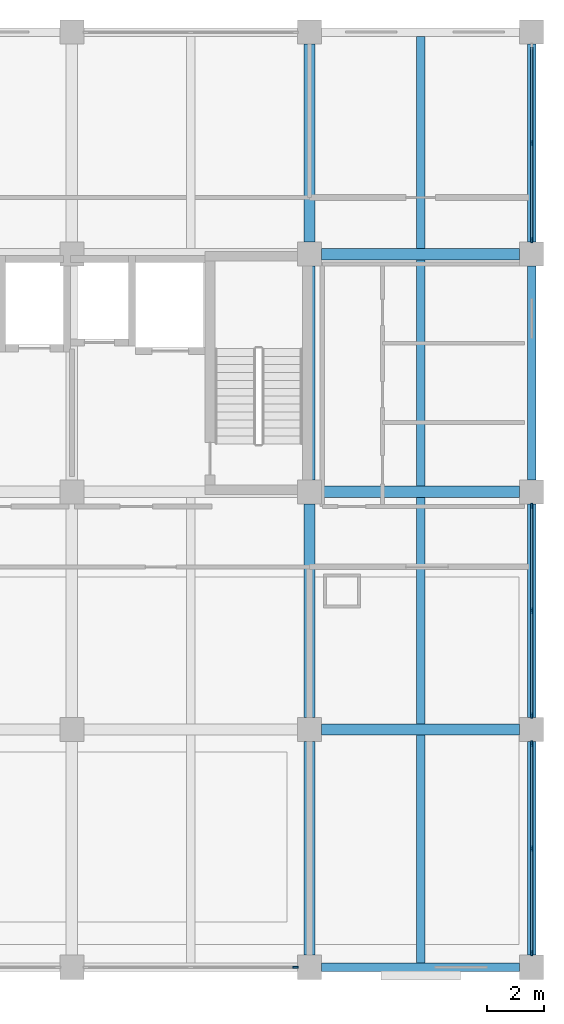
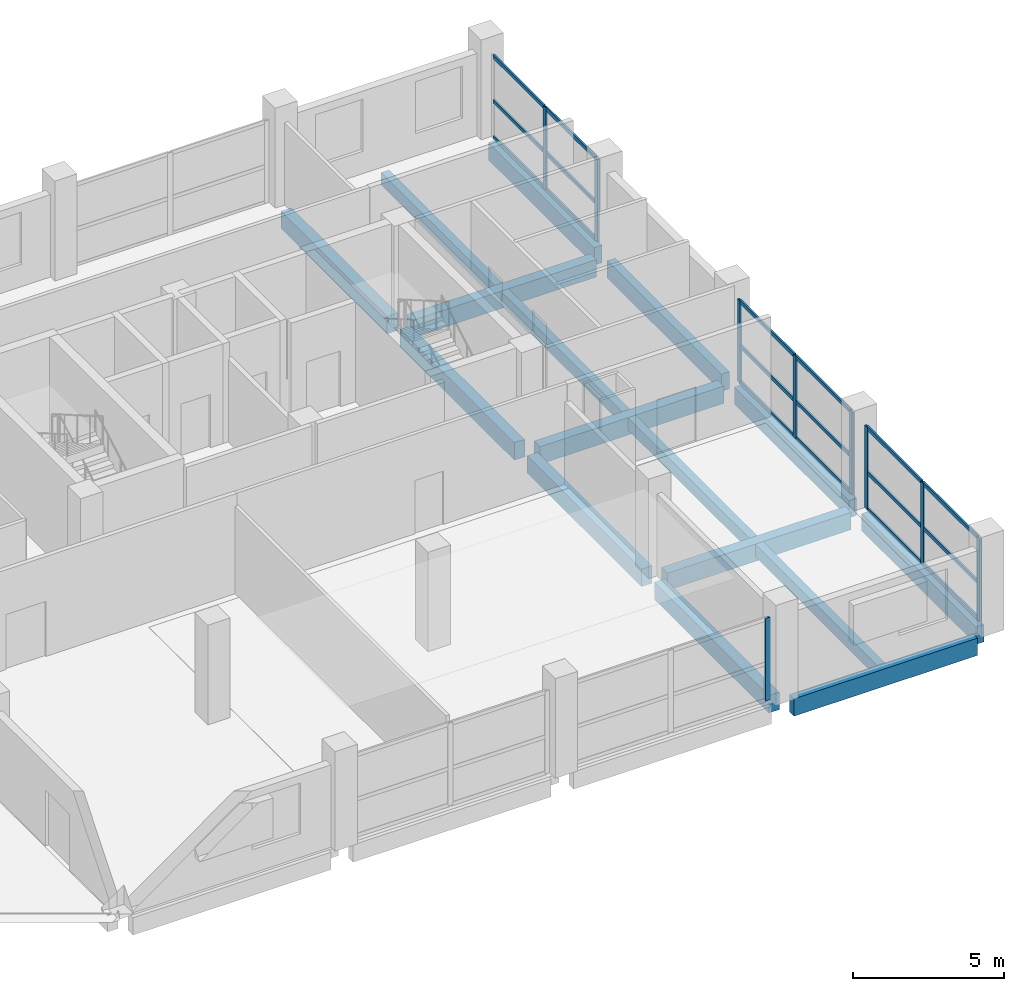
# One storey, part 4 of 10: 27 members, 16 beams, 4 elements without a shape of their own.
"""IFC4 building model written with IfcOpenShell, lengths in metres."""

from ifc_helpers import new_model, si_unit, direction, frame, origin, origin_2d, place, context, subcontext, project, spatial, rectangle, extrude, material, material_profile, profile_set, type_object, element, aggregate, save


model = new_model("IFC4")

# Units and contexts
model_context = context("Model", 3, precision=1e-05, world=origin(), true_north=direction((0.0, 1.0)))
body_context = subcontext(model_context, "Body", "Model", "MODEL_VIEW")
ifc_project = project(units=[si_unit("LENGTHUNIT", "METRE"), si_unit("AREAUNIT", "SQUARE_METRE"), si_unit("VOLUMEUNIT", "CUBIC_METRE"), si_unit("PLANEANGLEUNIT", "RADIAN"), si_unit("MASSUNIT", "GRAM", prefix="KILO")], contexts=[model_context])

# Site, building, storey
site_placement = place(None, origin())
site = spatial("IfcSite", under=ifc_project, at=site_placement, CompositionType="ELEMENT")
building_placement = place(site_placement, origin())
building = spatial("IfcBuilding", under=site, at=building_placement, Name="Brinegate Botanical Conservatory", CompositionType="ELEMENT")
storey_placement = place(building_placement, frame((0.0, 0.0, 27.60009765625)))
storey = spatial("IfcBuildingStorey", under=building, at=storey_placement, Name="L07", CompositionType="ELEMENT", Elevation=27.60009765625)

# Beams
ifc_material_1 = material(Name="Concrete C40/50", Category="concrete")
ifc_material_profile_1 = material_profile(ifc_material_1, rectangle(XDim=0.39990234375, YDim=0.699951171875, at=origin_2d()), Name="RC BM 400x700")
ifc_profile_set_1 = profile_set([ifc_material_profile_1], Name="Concrete C40/50")
beam_type_1 = type_object("IfcBeamType", Name="Beam_BM-T2", PredefinedType="BEAM", material=ifc_profile_set_1)
for number, where, z_axis, x_axis, name in (
    (1, (156.02490234375, 86.800048828125, -0.550048828125), (1.0, 0.0, 0.0), (0.0, 1.0, 0.0), "Beam BM-T2 L07 L:20-21"),
    (2, (156.02490234375, 95.199951171875, -0.550048828125), (1.0, 0.0, 0.0), (0.0, 1.0, 0.0), "Beam BM-T2 L07 M:20-21"),
    (3, (156.02490234375, 103.60009765625, -0.550048828125), (1.0, 0.0, 0.0), (0.0, 1.0, 0.0), "Beam BM-T2 L07 N:20-21"),
):
    element("IfcBeam", number, at=place(storey_placement, frame(where, z_axis=z_axis, x_axis=x_axis)), inside=storey, type_object=beam_type_1, Name=name, PredefinedType="BEAM", context=body_context, shape_type="SweptSolid", body=[
        extrude(rectangle(XDim=0.39990234375, YDim=0.699951171875, at=origin_2d()), origin(), (0.0, 0.0, 1.0), 7.0),
    ])
beam_1_placement = place(storey_placement, frame((155.60009765625, 78.824951171875, -0.550048828125), z_axis=(0.0, 1.0, 0.0), x_axis=(-1.0, 0.0, 0.0)))
element("IfcBeam", 4, at=beam_1_placement, inside=storey, type_object=beam_type_1, Name="Beam BM-T2 L07 20:K-L", PredefinedType="BEAM", context=body_context, shape_type="SweptSolid", body=[
    extrude(rectangle(XDim=0.39990234375, YDim=0.699951171875, at=origin_2d()), origin(), (0.0, 0.0, 1.0), 7.550048828125),
])
beam_2_placement = place(storey_placement, frame((155.60009765625, 87.22509765625, -0.550048828125), z_axis=(0.0, 1.0, 0.0), x_axis=(-1.0, 0.0, 0.0)))
element("IfcBeam", 5, at=beam_2_placement, inside=storey, type_object=beam_type_1, Name="Beam BM-T2 L07 20:L-M", PredefinedType="BEAM", context=body_context, shape_type="SweptSolid", body=[
    extrude(rectangle(XDim=0.39990234375, YDim=0.699951171875, at=origin_2d()), origin(), (0.0, 0.0, 1.0), 7.5498046875),
])
beam_3_placement = place(storey_placement, frame((155.60009765625, 95.625, -0.550048828125), z_axis=(0.0, 1.0, 0.0), x_axis=(-1.0, 0.0, 0.0)))
element("IfcBeam", 6, at=beam_3_placement, inside=storey, type_object=beam_type_1, Name="Beam BM-T2 L07 20:M-N", PredefinedType="BEAM", context=body_context, shape_type="SweptSolid", body=[
    extrude(rectangle(XDim=0.39990234375, YDim=0.699951171875, at=origin_2d()), origin(), (0.0, 0.0, 1.0), 7.550048828125),
])
beam_4_placement = place(storey_placement, frame((155.60009765625, 104.02490234375, -0.550048828125), z_axis=(0.0, 1.0, 0.0), x_axis=(-1.0, 0.0, 0.0)))
element("IfcBeam", 7, at=beam_4_placement, inside=storey, type_object=beam_type_1, Name="Beam BM-T2 L07 20:N-P", PredefinedType="BEAM", context=body_context, shape_type="SweptSolid", body=[
    extrude(rectangle(XDim=0.39990234375, YDim=0.699951171875, at=origin_2d()), origin(), (0.0, 0.0, 1.0), 7.0),
])
ifc_material_profile_2 = material_profile(ifc_material_1, rectangle(XDim=0.300048828125, YDim=0.5, at=origin_2d()), Name="RC JST 300x500")
ifc_profile_set_2 = profile_set([ifc_material_profile_2], Name="Concrete C40/50")
beam_type_2 = type_object("IfcBeamType", Name="Beam_JS-C2", PredefinedType="JOIST", material=ifc_profile_set_2)
beam_5_placement = place(storey_placement, frame((159.52490234375, 78.550048828125, -0.4501953125), z_axis=(0.0, 1.0, 0.0), x_axis=(-1.0, 0.0, 0.0)))
element("IfcBeam", 8, at=beam_5_placement, inside=storey, type_object=beam_type_2, Name="Floor joist JS-C2 L07 bay 20.10", PredefinedType="JOIST", context=body_context, shape_type="SweptSolid", body=[
    extrude(rectangle(XDim=0.300048828125, YDim=0.5, at=origin_2d()), origin(), (0.0, 0.0, 1.0), 8.050048828125),
])
for number, where, z_axis, x_axis, name in (
    (9, (159.52490234375, 87.0, -0.4501953125), (0.0, 1.0, 0.0), (-1.0, 0.0, 0.0), "Floor joist JS-C2 L07 bay 20.11"),
    (10, (159.52490234375, 95.39990234375, -0.4501953125), (0.0, 1.0, 0.0), (-1.0, 0.0, 0.0), "Floor joist JS-C2 L07 bay 20.12"),
):
    element("IfcBeam", number, at=place(storey_placement, frame(where, z_axis=z_axis, x_axis=x_axis)), inside=storey, type_object=beam_type_2, Name=name, PredefinedType="JOIST", context=body_context, shape_type="SweptSolid", body=[
        extrude(rectangle(XDim=0.300048828125, YDim=0.5, at=origin_2d()), origin(), (0.0, 0.0, 1.0), 8.0),
    ])
beam_6_placement = place(storey_placement, frame((159.52490234375, 103.800048828125, -0.4501953125), z_axis=(0.0, 1.0, 0.0), x_axis=(-1.0, 0.0, 0.0)))
element("IfcBeam", 11, at=beam_6_placement, inside=storey, type_object=beam_type_2, Name="Floor joist JS-C2 L07 bay 20.13", PredefinedType="JOIST", context=body_context, shape_type="SweptSolid", body=[
    extrude(rectangle(XDim=0.300048828125, YDim=0.5, at=origin_2d()), origin(), (0.0, 0.0, 1.0), 7.5),
])
ifc_material_profile_3 = material_profile(ifc_material_1, rectangle(XDim=0.300048828125, YDim=0.699951171875, at=origin_2d()), Name="RC SPN 300x700")
ifc_profile_set_3 = profile_set([ifc_material_profile_3], Name="Concrete C40/50")
beam_type_3 = type_object("IfcBeamType", Name="Beam_SP-02", PredefinedType="SPANDREL", material=ifc_profile_set_3)
beam_7_placement = place(storey_placement, frame((156.02490234375, 78.39990234375, -0.550048828125), z_axis=(1.0, 0.0, 0.0), x_axis=(0.0, 1.0, 0.0)))
element("IfcBeam", 12, at=beam_7_placement, inside=storey, type_object=beam_type_3, Name="Beam SP-02 L07 K:20-21", PredefinedType="SPANDREL", context=body_context, shape_type="SweptSolid", body=[
    extrude(rectangle(XDim=0.300048828125, YDim=0.699951171875, at=origin_2d()), origin(), (0.0, 0.0, 1.0), 7.0),
])
beam_8_placement = place(storey_placement, frame((163.449951171875, 78.824951171875, -0.550048828125), z_axis=(0.0, 1.0, 0.0), x_axis=(-1.0, 0.0, 0.0)))
element("IfcBeam", 13, at=beam_8_placement, inside=storey, type_object=beam_type_3, Name="Beam SP-02 L07 21:K-L", PredefinedType="SPANDREL", context=body_context, shape_type="SweptSolid", body=[
    extrude(rectangle(XDim=0.300048828125, YDim=0.699951171875, at=origin_2d()), origin(), (0.0, 0.0, 1.0), 7.550048828125),
])
beam_9_placement = place(storey_placement, frame((163.449951171875, 87.22509765625, -0.550048828125), z_axis=(0.0, 1.0, 0.0), x_axis=(-1.0, 0.0, 0.0)))
element("IfcBeam", 14, at=beam_9_placement, inside=storey, type_object=beam_type_3, Name="Beam SP-02 L07 21:L-M", PredefinedType="SPANDREL", context=body_context, shape_type="SweptSolid", body=[
    extrude(rectangle(XDim=0.300048828125, YDim=0.699951171875, at=origin_2d()), origin(), (0.0, 0.0, 1.0), 7.5498046875),
])
beam_10_placement = place(storey_placement, frame((163.449951171875, 95.625, -0.550048828125), z_axis=(0.0, 1.0, 0.0), x_axis=(-1.0, 0.0, 0.0)))
element("IfcBeam", 15, at=beam_10_placement, inside=storey, type_object=beam_type_3, Name="Beam SP-02 L07 21:M-N", PredefinedType="SPANDREL", context=body_context, shape_type="SweptSolid", body=[
    extrude(rectangle(XDim=0.300048828125, YDim=0.699951171875, at=origin_2d()), origin(), (0.0, 0.0, 1.0), 7.550048828125),
])
beam_11_placement = place(storey_placement, frame((163.449951171875, 104.02490234375, -0.550048828125), z_axis=(0.0, 1.0, 0.0), x_axis=(-1.0, 0.0, 0.0)))
element("IfcBeam", 16, at=beam_11_placement, inside=storey, type_object=beam_type_3, Name="Beam SP-02 L07 21:N-P", PredefinedType="SPANDREL", context=body_context, shape_type="SweptSolid", body=[
    extrude(rectangle(XDim=0.300048828125, YDim=0.699951171875, at=origin_2d()), origin(), (0.0, 0.0, 1.0), 7.0),
])

# Curtain wall, member
ifc_material_2 = material(Name="Thermally broken anodised aluminium AW-6063-T6", Category="aluminium")
curtain_wall_type = type_object("IfcCurtainWallType", Name="CW_CW-TW1", PredefinedType="USERDEFINED", material=ifc_material_2)
curtain_wall_1_placement = place(storey_placement, origin())
curtain_wall_1 = element("IfcCurtainWall", 17, at=curtain_wall_1_placement, inside=storey, type_object=curtain_wall_type, Name="Tower south curtain wall L07.3", ObjectType="FACTORY CURTAIN WALL", PredefinedType="USERDEFINED")
ifc_material_profile_4 = material_profile(ifc_material_2, rectangle(XDim=0.070068359375, YDim=0.199951171875, at=origin_2d()), Name="ALUM MULLION 70x200")
ifc_profile_set_4 = profile_set([ifc_material_profile_4], Name="Thermally broken anodised aluminium AW-6063-T6")
member_type_1 = type_object("IfcMemberType", Name="Member_ML-03", PredefinedType="MULLION", material=ifc_profile_set_4)
member_1_placement = place(storey_placement, frame((155.10009765625, 78.39990234375, 0.0), z_axis=(0.0, 0.0, 1.0), x_axis=(0.0, -1.0, 0.0)))
member_1 = element("IfcMember", 18, at=member_1_placement, type_object=member_type_1, Name="CW-TW1 mullion 1", PredefinedType="MULLION", context=body_context, shape_type="SweptSolid", body=[
    extrude(rectangle(XDim=0.070068359375, YDim=0.199951171875, at=origin_2d()), origin(), (0.0, 0.0, 1.0), 3.31982421875),
])
aggregate(curtain_wall_1, [member_1])

# Curtain wall, members
curtain_wall_2_placement = place(storey_placement, origin())
curtain_wall_2 = element("IfcCurtainWall", 19, at=curtain_wall_2_placement, inside=storey, type_object=curtain_wall_type, Name="Tower east curtain wall L07.1", ObjectType="FACTORY CURTAIN WALL", PredefinedType="USERDEFINED")
member_2_placement = place(storey_placement, frame((163.449951171875, 86.300048828125, 0.0), z_axis=(0.0, 0.0, 1.0), x_axis=(1.0, 0.0, 0.0)))
member_2 = element("IfcMember", 20, at=member_2_placement, type_object=member_type_1, Name="CW-TW1 mullion 1", PredefinedType="MULLION", context=body_context, shape_type="SweptSolid", body=[
    extrude(rectangle(XDim=0.070068359375, YDim=0.199951171875, at=origin_2d()), origin(), (0.0, 0.0, 1.0), 3.31982421875),
])
member_3_placement = place(storey_placement, frame((163.449951171875, 82.60009765625, 0.0), z_axis=(0.0, 0.0, 1.0), x_axis=(1.0, 0.0, 0.0)))
member_3 = element("IfcMember", 21, at=member_3_placement, type_object=member_type_1, Name="CW-TW1 mullion 2", PredefinedType="MULLION", context=body_context, shape_type="SweptSolid", body=[
    extrude(rectangle(XDim=0.070068359375, YDim=0.199951171875, at=origin_2d()), origin(), (0.0, 0.0, 1.0), 3.31982421875),
])
member_4_placement = place(storey_placement, frame((163.449951171875, 78.89990234375, 0.0), z_axis=(0.0, 0.0, 1.0), x_axis=(1.0, 0.0, 0.0)))
member_4 = element("IfcMember", 22, at=member_4_placement, type_object=member_type_1, Name="CW-TW1 mullion 3", PredefinedType="MULLION", context=body_context, shape_type="SweptSolid", body=[
    extrude(rectangle(XDim=0.070068359375, YDim=0.199951171875, at=origin_2d()), origin(), (0.0, 0.0, 1.0), 3.31982421875),
])

curtain_wall_3_placement = place(storey_placement, origin())
curtain_wall_3 = element("IfcCurtainWall", 23, at=curtain_wall_3_placement, inside=storey, type_object=curtain_wall_type, Name="Tower east curtain wall L07.2", ObjectType="FACTORY CURTAIN WALL", PredefinedType="USERDEFINED")
member_5_placement = place(storey_placement, frame((163.449951171875, 94.699951171875, 0.0), z_axis=(0.0, 0.0, 1.0), x_axis=(1.0, 0.0, 0.0)))
member_5 = element("IfcMember", 24, at=member_5_placement, type_object=member_type_1, Name="CW-TW1 mullion 1", PredefinedType="MULLION", context=body_context, shape_type="SweptSolid", body=[
    extrude(rectangle(XDim=0.070068359375, YDim=0.199951171875, at=origin_2d()), origin(), (0.0, 0.0, 1.0), 3.31982421875),
])
member_6_placement = place(storey_placement, frame((163.449951171875, 91.0, 0.0), z_axis=(0.0, 0.0, 1.0), x_axis=(1.0, 0.0, 0.0)))
member_6 = element("IfcMember", 25, at=member_6_placement, type_object=member_type_1, Name="CW-TW1 mullion 2", PredefinedType="MULLION", context=body_context, shape_type="SweptSolid", body=[
    extrude(rectangle(XDim=0.070068359375, YDim=0.199951171875, at=origin_2d()), origin(), (0.0, 0.0, 1.0), 3.31982421875),
])
member_7_placement = place(storey_placement, frame((163.449951171875, 87.300048828125, 0.0), z_axis=(0.0, 0.0, 1.0), x_axis=(1.0, 0.0, 0.0)))
member_7 = element("IfcMember", 26, at=member_7_placement, type_object=member_type_1, Name="CW-TW1 mullion 3", PredefinedType="MULLION", context=body_context, shape_type="SweptSolid", body=[
    extrude(rectangle(XDim=0.070068359375, YDim=0.199951171875, at=origin_2d()), origin(), (0.0, 0.0, 1.0), 3.31982421875),
])

curtain_wall_4_placement = place(storey_placement, origin())
curtain_wall_4 = element("IfcCurtainWall", 27, at=curtain_wall_4_placement, inside=storey, type_object=curtain_wall_type, Name="Tower east curtain wall L07.4", ObjectType="FACTORY CURTAIN WALL", PredefinedType="USERDEFINED")
member_8_placement = place(storey_placement, frame((163.449951171875, 107.52490234375, 0.0), z_axis=(0.0, 0.0, 1.0), x_axis=(1.0, 0.0, 0.0)))
member_8 = element("IfcMember", 28, at=member_8_placement, type_object=member_type_1, Name="CW-TW1 mullion 2", PredefinedType="MULLION", context=body_context, shape_type="SweptSolid", body=[
    extrude(rectangle(XDim=0.070068359375, YDim=0.199951171875, at=origin_2d()), origin(), (0.0, 0.0, 1.0), 3.31982421875),
])
member_9_placement = place(storey_placement, frame((163.449951171875, 104.10009765625, 0.0), z_axis=(0.0, 0.0, 1.0), x_axis=(1.0, 0.0, 0.0)))
member_9 = element("IfcMember", 29, at=member_9_placement, type_object=member_type_1, Name="CW-TW1 mullion 3", PredefinedType="MULLION", context=body_context, shape_type="SweptSolid", body=[
    extrude(rectangle(XDim=0.070068359375, YDim=0.199951171875, at=origin_2d()), origin(), (0.0, 0.0, 1.0), 3.31982421875),
])

# Member
ifc_material_profile_5 = material_profile(ifc_material_2, rectangle(XDim=0.070068359375, YDim=0.14990234375, at=origin_2d()), Name="ALUM TRANSOM 70x150")
ifc_profile_set_5 = profile_set([ifc_material_profile_5], Name="Thermally broken anodised aluminium AW-6063-T6")
member_type_2 = type_object("IfcMemberType", Name="Member_TR-03", PredefinedType="USERDEFINED", material=ifc_profile_set_5)
member_10_placement = place(storey_placement, frame((163.449951171875, 86.264892578125, 0.034912109375), z_axis=(0.0, -1.0, 0.0), x_axis=(1.0, 0.0, 0.0)))
member_10 = element("IfcMember", 30, at=member_10_placement, type_object=member_type_2, Name="CW-TW1 transom 1.1", ObjectType="TRANSOM", PredefinedType="USERDEFINED", context=body_context, shape_type="SweptSolid", body=[
    extrude(rectangle(XDim=0.070068359375, YDim=0.14990234375, at=origin_2d()), origin(), (0.0, 0.0, 1.0), 3.6298828125),
])

member_11_placement = place(storey_placement, frame((163.449951171875, 86.264892578125, 1.493896484375), z_axis=(0.0, -1.0, 0.0), x_axis=(1.0, 0.0, 0.0)))
member_11 = element("IfcMember", 31, at=member_11_placement, type_object=member_type_2, Name="CW-TW1 transom 1.2", ObjectType="TRANSOM", PredefinedType="USERDEFINED", context=body_context, shape_type="SweptSolid", body=[
    extrude(rectangle(XDim=0.070068359375, YDim=0.14990234375, at=origin_2d()), origin(), (0.0, 0.0, 1.0), 3.6298828125),
])

member_12_placement = place(storey_placement, frame((163.449951171875, 86.264892578125, 3.284912109375), z_axis=(0.0, -1.0, 0.0), x_axis=(1.0, 0.0, 0.0)))
member_12 = element("IfcMember", 32, at=member_12_placement, type_object=member_type_2, Name="CW-TW1 transom 1.3", ObjectType="TRANSOM", PredefinedType="USERDEFINED", context=body_context, shape_type="SweptSolid", body=[
    extrude(rectangle(XDim=0.070068359375, YDim=0.14990234375, at=origin_2d()), origin(), (0.0, 0.0, 1.0), 3.6298828125),
])

member_13_placement = place(storey_placement, frame((163.449951171875, 82.56494140625, 0.034912109375), z_axis=(0.0, -1.0, 0.0), x_axis=(1.0, 0.0, 0.0)))
member_13 = element("IfcMember", 33, at=member_13_placement, type_object=member_type_2, Name="CW-TW1 transom 2.1", ObjectType="TRANSOM", PredefinedType="USERDEFINED", context=body_context, shape_type="SweptSolid", body=[
    extrude(rectangle(XDim=0.070068359375, YDim=0.14990234375, at=origin_2d()), origin(), (0.0, 0.0, 1.0), 3.6298828125),
])

member_14_placement = place(storey_placement, frame((163.449951171875, 82.56494140625, 1.493896484375), z_axis=(0.0, -1.0, 0.0), x_axis=(1.0, 0.0, 0.0)))
member_14 = element("IfcMember", 34, at=member_14_placement, type_object=member_type_2, Name="CW-TW1 transom 2.2", ObjectType="TRANSOM", PredefinedType="USERDEFINED", context=body_context, shape_type="SweptSolid", body=[
    extrude(rectangle(XDim=0.070068359375, YDim=0.14990234375, at=origin_2d()), origin(), (0.0, 0.0, 1.0), 3.6298828125),
])

member_15_placement = place(storey_placement, frame((163.449951171875, 82.56494140625, 3.284912109375), z_axis=(0.0, -1.0, 0.0), x_axis=(1.0, 0.0, 0.0)))
member_15 = element("IfcMember", 35, at=member_15_placement, type_object=member_type_2, Name="CW-TW1 transom 2.3", ObjectType="TRANSOM", PredefinedType="USERDEFINED", context=body_context, shape_type="SweptSolid", body=[
    extrude(rectangle(XDim=0.070068359375, YDim=0.14990234375, at=origin_2d()), origin(), (0.0, 0.0, 1.0), 3.6298828125),
])

aggregate(curtain_wall_2, [member_2, member_3, member_4, member_10, member_11, member_12, member_13, member_14, member_15])

member_16_placement = place(storey_placement, frame((163.449951171875, 94.6650390625, 0.034912109375), z_axis=(0.0, -1.0, 0.0), x_axis=(1.0, 0.0, 0.0)))
member_16 = element("IfcMember", 36, at=member_16_placement, type_object=member_type_2, Name="CW-TW1 transom 1.1", ObjectType="TRANSOM", PredefinedType="USERDEFINED", context=body_context, shape_type="SweptSolid", body=[
    extrude(rectangle(XDim=0.070068359375, YDim=0.14990234375, at=origin_2d()), origin(), (0.0, 0.0, 1.0), 3.630126953125),
])

member_17_placement = place(storey_placement, frame((163.449951171875, 94.6650390625, 1.493896484375), z_axis=(0.0, -1.0, 0.0), x_axis=(1.0, 0.0, 0.0)))
member_17 = element("IfcMember", 37, at=member_17_placement, type_object=member_type_2, Name="CW-TW1 transom 1.2", ObjectType="TRANSOM", PredefinedType="USERDEFINED", context=body_context, shape_type="SweptSolid", body=[
    extrude(rectangle(XDim=0.070068359375, YDim=0.14990234375, at=origin_2d()), origin(), (0.0, 0.0, 1.0), 3.630126953125),
])

member_18_placement = place(storey_placement, frame((163.449951171875, 94.6650390625, 3.284912109375), z_axis=(0.0, -1.0, 0.0), x_axis=(1.0, 0.0, 0.0)))
member_18 = element("IfcMember", 38, at=member_18_placement, type_object=member_type_2, Name="CW-TW1 transom 1.3", ObjectType="TRANSOM", PredefinedType="USERDEFINED", context=body_context, shape_type="SweptSolid", body=[
    extrude(rectangle(XDim=0.070068359375, YDim=0.14990234375, at=origin_2d()), origin(), (0.0, 0.0, 1.0), 3.630126953125),
])

member_19_placement = place(storey_placement, frame((163.449951171875, 90.965087890625, 0.034912109375), z_axis=(0.0, -1.0, 0.0), x_axis=(1.0, 0.0, 0.0)))
member_19 = element("IfcMember", 39, at=member_19_placement, type_object=member_type_2, Name="CW-TW1 transom 2.1", ObjectType="TRANSOM", PredefinedType="USERDEFINED", context=body_context, shape_type="SweptSolid", body=[
    extrude(rectangle(XDim=0.070068359375, YDim=0.14990234375, at=origin_2d()), origin(), (0.0, 0.0, 1.0), 3.630126953125),
])

member_20_placement = place(storey_placement, frame((163.449951171875, 90.965087890625, 1.493896484375), z_axis=(0.0, -1.0, 0.0), x_axis=(1.0, 0.0, 0.0)))
member_20 = element("IfcMember", 40, at=member_20_placement, type_object=member_type_2, Name="CW-TW1 transom 2.2", ObjectType="TRANSOM", PredefinedType="USERDEFINED", context=body_context, shape_type="SweptSolid", body=[
    extrude(rectangle(XDim=0.070068359375, YDim=0.14990234375, at=origin_2d()), origin(), (0.0, 0.0, 1.0), 3.630126953125),
])

member_21_placement = place(storey_placement, frame((163.449951171875, 90.965087890625, 3.284912109375), z_axis=(0.0, -1.0, 0.0), x_axis=(1.0, 0.0, 0.0)))
member_21 = element("IfcMember", 41, at=member_21_placement, type_object=member_type_2, Name="CW-TW1 transom 2.3", ObjectType="TRANSOM", PredefinedType="USERDEFINED", context=body_context, shape_type="SweptSolid", body=[
    extrude(rectangle(XDim=0.070068359375, YDim=0.14990234375, at=origin_2d()), origin(), (0.0, 0.0, 1.0), 3.630126953125),
])

aggregate(curtain_wall_3, [member_5, member_6, member_7, member_16, member_17, member_18, member_19, member_20, member_21])

member_22_placement = place(storey_placement, frame((163.449951171875, 110.9150390625, 0.034912109375), z_axis=(0.0, -1.0, 0.0), x_axis=(1.0, 0.0, 0.0)))
member_22 = element("IfcMember", 42, at=member_22_placement, type_object=member_type_2, Name="CW-TW1 transom 1.1", ObjectType="TRANSOM", PredefinedType="USERDEFINED", context=body_context, shape_type="SweptSolid", body=[
    extrude(rectangle(XDim=0.070068359375, YDim=0.14990234375, at=origin_2d()), origin(), (0.0, 0.0, 1.0), 3.35498046875),
])

member_23_placement = place(storey_placement, frame((163.449951171875, 110.9150390625, 1.493896484375), z_axis=(0.0, -1.0, 0.0), x_axis=(1.0, 0.0, 0.0)))
member_23 = element("IfcMember", 43, at=member_23_placement, type_object=member_type_2, Name="CW-TW1 transom 1.2", ObjectType="TRANSOM", PredefinedType="USERDEFINED", context=body_context, shape_type="SweptSolid", body=[
    extrude(rectangle(XDim=0.070068359375, YDim=0.14990234375, at=origin_2d()), origin(), (0.0, 0.0, 1.0), 3.35498046875),
])

member_24_placement = place(storey_placement, frame((163.449951171875, 110.9150390625, 3.284912109375), z_axis=(0.0, -1.0, 0.0), x_axis=(1.0, 0.0, 0.0)))
member_24 = element("IfcMember", 44, at=member_24_placement, type_object=member_type_2, Name="CW-TW1 transom 1.3", ObjectType="TRANSOM", PredefinedType="USERDEFINED", context=body_context, shape_type="SweptSolid", body=[
    extrude(rectangle(XDim=0.070068359375, YDim=0.14990234375, at=origin_2d()), origin(), (0.0, 0.0, 1.0), 3.35498046875),
])

member_25_placement = place(storey_placement, frame((163.449951171875, 107.489990234375, 0.034912109375), z_axis=(0.0, -1.0, 0.0), x_axis=(1.0, 0.0, 0.0)))
member_25 = element("IfcMember", 45, at=member_25_placement, type_object=member_type_2, Name="CW-TW1 transom 2.1", ObjectType="TRANSOM", PredefinedType="USERDEFINED", context=body_context, shape_type="SweptSolid", body=[
    extrude(rectangle(XDim=0.070068359375, YDim=0.14990234375, at=origin_2d()), origin(), (0.0, 0.0, 1.0), 3.35498046875),
])

member_26_placement = place(storey_placement, frame((163.449951171875, 107.489990234375, 1.493896484375), z_axis=(0.0, -1.0, 0.0), x_axis=(1.0, 0.0, 0.0)))
member_26 = element("IfcMember", 46, at=member_26_placement, type_object=member_type_2, Name="CW-TW1 transom 2.2", ObjectType="TRANSOM", PredefinedType="USERDEFINED", context=body_context, shape_type="SweptSolid", body=[
    extrude(rectangle(XDim=0.070068359375, YDim=0.14990234375, at=origin_2d()), origin(), (0.0, 0.0, 1.0), 3.35498046875),
])

member_27_placement = place(storey_placement, frame((163.449951171875, 107.489990234375, 3.284912109375), z_axis=(0.0, -1.0, 0.0), x_axis=(1.0, 0.0, 0.0)))
member_27 = element("IfcMember", 47, at=member_27_placement, type_object=member_type_2, Name="CW-TW1 transom 2.3", ObjectType="TRANSOM", PredefinedType="USERDEFINED", context=body_context, shape_type="SweptSolid", body=[
    extrude(rectangle(XDim=0.070068359375, YDim=0.14990234375, at=origin_2d()), origin(), (0.0, 0.0, 1.0), 3.35498046875),
])

aggregate(curtain_wall_4, [member_8, member_9, member_22, member_23, member_24, member_25, member_26, member_27])

save(model, "model.ifc")
